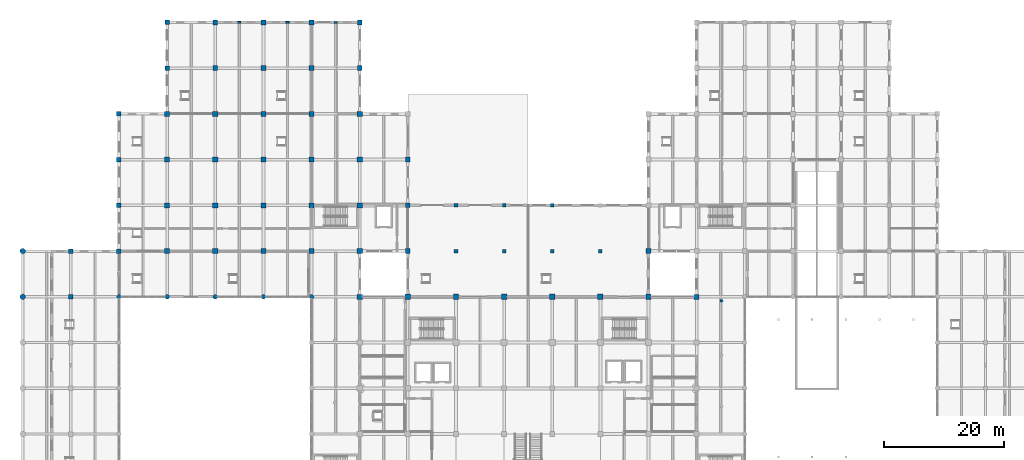
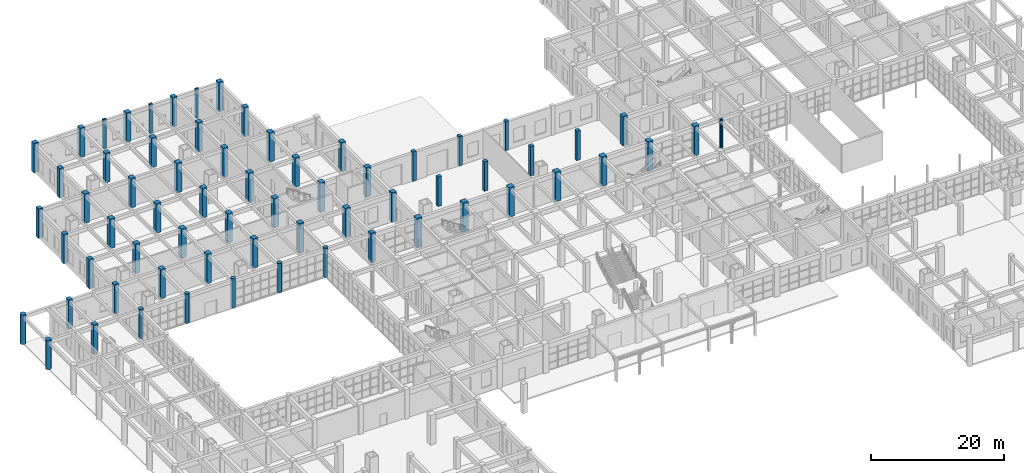
# One storey, part 6 of 95: 66 columns.
"""IFC4 building model written with IfcOpenShell, lengths in metres."""

from ifc_helpers import new_model, si_unit, direction, frame, origin, origin_2d, place, context, subcontext, project, spatial, rectangle, circle, extrude, material, material_profile, profile_set, type_object, element, save


model = new_model("IFC4")

# Units and contexts
model_context = context("Model", 3, precision=1e-05, world=origin(), true_north=direction((0.0, 1.0)))
body_context = subcontext(model_context, "Body", "Model", "MODEL_VIEW")
ifc_project = project(units=[si_unit("LENGTHUNIT", "METRE"), si_unit("AREAUNIT", "SQUARE_METRE"), si_unit("VOLUMEUNIT", "CUBIC_METRE"), si_unit("PLANEANGLEUNIT", "RADIAN"), si_unit("MASSUNIT", "GRAM", prefix="KILO")], contexts=[model_context])

# Site, building, storey
site_placement = place(None, origin())
site = spatial("IfcSite", under=ifc_project, at=site_placement, CompositionType="ELEMENT")
building_placement = place(site_placement, origin())
building = spatial("IfcBuilding", under=site, at=building_placement, Name="Zantavel Square City Hall", CompositionType="ELEMENT")
storey_placement = place(building_placement, origin())
storey = spatial("IfcBuildingStorey", under=building, at=storey_placement, Name="L01", CompositionType="ELEMENT", Elevation=0.0)

# Columns
ifc_material = material(Name="Concrete C40/50", Category="concrete")
ifc_material_profile_1 = material_profile(ifc_material, rectangle(XDim=0.60009765625, YDim=0.60009765625, at=origin_2d()), Name="RC 600x600")
ifc_profile_set_1 = profile_set([ifc_material_profile_1], Name="Concrete C40/50")
column_type_1 = type_object("IfcColumnType", Name="Column RC 600x600 C40/50", PredefinedType="COLUMN", material=ifc_profile_set_1)
for number, where, z_axis, x_axis, name in (
    (1, (72.0, 76.0, 0.0), (0.0, 0.0, 1.0), (1.0, 0.0, 0.0), "L01 Column COL-L01-0720-0760"),
    (2, (72.0, 83.60009765625, 0.0), (0.0, 0.0, 1.0), (1.0, 0.0, 0.0), "L01 Column COL-L01-0720-0836"),
    (3, (80.0, 76.0, 0.0), (0.0, 0.0, 1.0), (1.0, 0.0, 0.0), "L01 Column COL-L01-0800-0760"),
    (4, (80.0, 83.60009765625, 0.0), (0.0, 0.0, 1.0), (1.0, 0.0, 0.0), "L01 Column COL-L01-0800-0836"),
    (5, (88.0, 76.0, 0.0), (0.0, 0.0, 1.0), (1.0, 0.0, 0.0), "L01 Column COL-L01-0880-0760"),
    (6, (88.0, 83.60009765625, 0.0), (0.0, 0.0, 1.0), (1.0, 0.0, 0.0), "L01 Column COL-L01-0880-0836"),
    (7, (96.0, 76.0, 0.0), (0.0, 0.0, 1.0), (1.0, 0.0, 0.0), "L01 Column COL-L01-0960-0760"),
):
    element("IfcColumn", number, at=place(storey_placement, frame(where, z_axis=z_axis, x_axis=x_axis)), inside=storey, type_object=column_type_1, Name=name, PredefinedType="COLUMN", context=body_context, shape_type="SweptSolid", body=[
        extrude(rectangle(XDim=0.60009765625, YDim=0.60009765625, at=origin_2d()), origin(), (0.0, 0.0, 1.0), 5.39990234375),
    ])
ifc_material_profile_2 = material_profile(ifc_material, rectangle(XDim=0.75, YDim=0.75, at=origin_2d()), Name="RC 750x750")
ifc_profile_set_2 = profile_set([ifc_material_profile_2], Name="Concrete C40/50")
column_type_2 = type_object("IfcColumnType", Name="Column RC 750x750 C40/50", PredefinedType="COLUMN", material=ifc_profile_set_2)
for number, where, z_axis, x_axis, name in (
    (8, (8.0, 68.39990234375, 0.0), (0.0, 0.0, 1.0), (1.0, 0.0, 0.0), "L01 Column COL-L01-0080-0684"),
    (9, (8.0, 76.0, 0.0), (0.0, 0.0, 1.0), (1.0, 0.0, 0.0), "L01 Column COL-L01-0080-0760"),
    (10, (16.0, 76.0, 0.0), (0.0, 0.0, 1.0), (1.0, 0.0, 0.0), "L01 Column COL-L01-0160-0760"),
    (11, (16.0, 83.60009765625, 0.0), (0.0, 0.0, 1.0), (1.0, 0.0, 0.0), "L01 Column COL-L01-0160-0836"),
    (12, (16.0, 91.199951171875, 0.0), (0.0, 0.0, 1.0), (1.0, 0.0, 0.0), "L01 Column COL-L01-0160-0912"),
    (13, (16.0, 98.800048828125, 0.0), (0.0, 0.0, 1.0), (1.0, 0.0, 0.0), "L01 Column COL-L01-0160-0988"),
    (14, (24.0, 106.39990234375, 0.0), (0.0, 0.0, 1.0), (1.0, 0.0, 0.0), "L01 Column COL-L01-0240-1064"),
    (15, (24.0, 114.0, 0.0), (0.0, 0.0, 1.0), (1.0, 0.0, 0.0), "L01 Column COL-L01-0240-1140"),
):
    element("IfcColumn", number, at=place(storey_placement, frame(where, z_axis=z_axis, x_axis=x_axis)), inside=storey, type_object=column_type_2, Name=name, PredefinedType="COLUMN", context=body_context, shape_type="SweptSolid", body=[
        extrude(rectangle(XDim=0.75, YDim=0.75, at=origin_2d()), origin(), (0.0, 0.0, 1.0), 5.39990234375),
    ])
ifc_material_profile_3 = material_profile(ifc_material, rectangle(XDim=0.800048828125, YDim=0.800048828125, at=origin_2d()), Name="RC 800x800")
ifc_profile_set_3 = profile_set([ifc_material_profile_3], Name="Concrete C40/50")
column_type_3 = type_object("IfcColumnType", Name="Column RC 800x800 C40/50", PredefinedType="COLUMN", material=ifc_profile_set_3)
for number, where, z_axis, x_axis, name in (
    (16, (32.0, 106.39990234375, 0.0), (0.0, 0.0, 1.0), (1.0, 0.0, 0.0), "L01 Column COL-L01-0320-1064"),
    (17, (32.0, 114.0, 0.0), (0.0, 0.0, 1.0), (1.0, 0.0, 0.0), "L01 Column COL-L01-0320-1140"),
    (18, (40.0, 106.39990234375, 0.0), (0.0, 0.0, 1.0), (1.0, 0.0, 0.0), "L01 Column COL-L01-0400-1064"),
    (19, (40.0, 114.0, 0.0), (0.0, 0.0, 1.0), (1.0, 0.0, 0.0), "L01 Column COL-L01-0400-1140"),
    (20, (48.0, 106.39990234375, 0.0), (0.0, 0.0, 1.0), (1.0, 0.0, 0.0), "L01 Column COL-L01-0480-1064"),
    (21, (48.0, 114.0, 0.0), (0.0, 0.0, 1.0), (1.0, 0.0, 0.0), "L01 Column COL-L01-0480-1140"),
    (22, (56.0, 106.39990234375, 0.0), (0.0, 0.0, 1.0), (1.0, 0.0, 0.0), "L01 Column COL-L01-0560-1064"),
    (23, (56.0, 114.0, 0.0), (0.0, 0.0, 1.0), (1.0, 0.0, 0.0), "L01 Column COL-L01-0560-1140"),
    (24, (64.0, 76.0, 0.0), (0.0, 0.0, 1.0), (1.0, 0.0, 0.0), "L01 Column COL-L01-0640-0760"),
    (25, (64.0, 83.60009765625, 0.0), (0.0, 0.0, 1.0), (1.0, 0.0, 0.0), "L01 Column COL-L01-0640-0836"),
    (26, (64.0, 91.199951171875, 0.0), (0.0, 0.0, 1.0), (1.0, 0.0, 0.0), "L01 Column COL-L01-0640-0912"),
    (27, (104.0, 76.0, 0.0), (0.0, 0.0, 1.0), (1.0, 0.0, 0.0), "L01 Column COL-L01-1040-0760"),
):
    element("IfcColumn", number, at=place(storey_placement, frame(where, z_axis=z_axis, x_axis=x_axis)), inside=storey, type_object=column_type_3, Name=name, PredefinedType="COLUMN", context=body_context, shape_type="SweptSolid", body=[
        extrude(rectangle(XDim=0.800048828125, YDim=0.800048828125, at=origin_2d()), origin(), (0.0, 0.0, 1.0), 5.39990234375),
    ])
ifc_material_profile_4 = material_profile(ifc_material, rectangle(XDim=0.85009765625, YDim=0.85009765625, at=origin_2d()), Name="RC 850x850")
ifc_profile_set_4 = profile_set([ifc_material_profile_4], Name="Concrete C40/50")
column_type_4 = type_object("IfcColumnType", Name="Column RC 850x850 C40/50", PredefinedType="COLUMN", material=ifc_profile_set_4)
for number, where, z_axis, x_axis, name in (
    (28, (24.0, 76.0, 0.0), (0.0, 0.0, 1.0), (1.0, 0.0, 0.0), "L01 Column COL-L01-0240-0760"),
    (29, (24.0, 83.60009765625, 0.0), (0.0, 0.0, 1.0), (1.0, 0.0, 0.0), "L01 Column COL-L01-0240-0836"),
    (30, (24.0, 91.199951171875, 0.0), (0.0, 0.0, 1.0), (1.0, 0.0, 0.0), "L01 Column COL-L01-0240-0912"),
    (31, (24.0, 98.800048828125, 0.0), (0.0, 0.0, 1.0), (1.0, 0.0, 0.0), "L01 Column COL-L01-0240-0988"),
    (32, (32.0, 76.0, 0.0), (0.0, 0.0, 1.0), (1.0, 0.0, 0.0), "L01 Column COL-L01-0320-0760"),
    (33, (32.0, 83.60009765625, 0.0), (0.0, 0.0, 1.0), (1.0, 0.0, 0.0), "L01 Column COL-L01-0320-0836"),
    (34, (32.0, 91.199951171875, 0.0), (0.0, 0.0, 1.0), (1.0, 0.0, 0.0), "L01 Column COL-L01-0320-0912"),
    (35, (32.0, 98.800048828125, 0.0), (0.0, 0.0, 1.0), (1.0, 0.0, 0.0), "L01 Column COL-L01-0320-0988"),
    (36, (40.0, 76.0, 0.0), (0.0, 0.0, 1.0), (1.0, 0.0, 0.0), "L01 Column COL-L01-0400-0760"),
    (37, (40.0, 83.60009765625, 0.0), (0.0, 0.0, 1.0), (1.0, 0.0, 0.0), "L01 Column COL-L01-0400-0836"),
    (38, (40.0, 91.199951171875, 0.0), (0.0, 0.0, 1.0), (1.0, 0.0, 0.0), "L01 Column COL-L01-0400-0912"),
    (39, (40.0, 98.800048828125, 0.0), (0.0, 0.0, 1.0), (1.0, 0.0, 0.0), "L01 Column COL-L01-0400-0988"),
    (40, (48.0, 76.0, 0.0), (0.0, 0.0, 1.0), (1.0, 0.0, 0.0), "L01 Column COL-L01-0480-0760"),
    (41, (48.0, 83.60009765625, 0.0), (0.0, 0.0, 1.0), (1.0, 0.0, 0.0), "L01 Column COL-L01-0480-0836"),
    (42, (48.0, 91.199951171875, 0.0), (0.0, 0.0, 1.0), (1.0, 0.0, 0.0), "L01 Column COL-L01-0480-0912"),
    (43, (48.0, 98.800048828125, 0.0), (0.0, 0.0, 1.0), (1.0, 0.0, 0.0), "L01 Column COL-L01-0480-0988"),
    (44, (56.0, 68.39990234375, 0.0), (0.0, 0.0, 1.0), (1.0, 0.0, 0.0), "L01 Column COL-L01-0560-0684"),
    (45, (56.0, 76.0, 0.0), (0.0, 0.0, 1.0), (1.0, 0.0, 0.0), "L01 Column COL-L01-0560-0760"),
    (46, (56.0, 83.60009765625, 0.0), (0.0, 0.0, 1.0), (1.0, 0.0, 0.0), "L01 Column COL-L01-0560-0836"),
    (47, (56.0, 91.199951171875, 0.0), (0.0, 0.0, 1.0), (1.0, 0.0, 0.0), "L01 Column COL-L01-0560-0912"),
    (48, (56.0, 98.800048828125, 0.0), (0.0, 0.0, 1.0), (1.0, 0.0, 0.0), "L01 Column COL-L01-0560-0988"),
    (49, (112.0, 68.39990234375, 0.0), (0.0, 0.0, 1.0), (1.0, 0.0, 0.0), "L01 Column COL-L01-1120-0684"),
):
    element("IfcColumn", number, at=place(storey_placement, frame(where, z_axis=z_axis, x_axis=x_axis)), inside=storey, type_object=column_type_4, Name=name, PredefinedType="COLUMN", context=body_context, shape_type="SweptSolid", body=[
        extrude(rectangle(XDim=0.85009765625, YDim=0.85009765625, at=origin_2d()), origin(), (0.0, 0.0, 1.0), 5.39990234375),
    ])
ifc_material_profile_5 = material_profile(ifc_material, rectangle(XDim=0.89990234375, YDim=0.89990234375, at=origin_2d()), Name="RC 900x900")
ifc_profile_set_5 = profile_set([ifc_material_profile_5], Name="Concrete C40/50")
column_type_5 = type_object("IfcColumnType", Name="Column RC 900x900 C40/50", PredefinedType="COLUMN", material=ifc_profile_set_5)
for number, where, z_axis, x_axis, name in (
    (50, (64.0, 68.39990234375, 0.0), (0.0, 0.0, 1.0), (1.0, 0.0, 0.0), "L01 Column COL-L01-0640-0684"),
    (51, (72.0, 68.39990234375, 0.0), (0.0, 0.0, 1.0), (1.0, 0.0, 0.0), "L01 Column COL-L01-0720-0684"),
    (52, (80.0, 68.39990234375, 0.0), (0.0, 0.0, 1.0), (1.0, 0.0, 0.0), "L01 Column COL-L01-0800-0684"),
    (53, (88.0, 68.39990234375, 0.0), (0.0, 0.0, 1.0), (1.0, 0.0, 0.0), "L01 Column COL-L01-0880-0684"),
    (54, (96.0, 68.39990234375, 0.0), (0.0, 0.0, 1.0), (1.0, 0.0, 0.0), "L01 Column COL-L01-0960-0684"),
    (55, (104.0, 68.39990234375, 0.0), (0.0, 0.0, 1.0), (1.0, 0.0, 0.0), "L01 Column COL-L01-1040-0684"),
):
    element("IfcColumn", number, at=place(storey_placement, frame(where, z_axis=z_axis, x_axis=x_axis)), inside=storey, type_object=column_type_5, Name=name, PredefinedType="COLUMN", context=body_context, shape_type="SweptSolid", body=[
        extrude(rectangle(XDim=0.89990234375, YDim=0.89990234375, at=origin_2d()), origin(), (0.0, 0.0, 1.0), 5.39990234375),
    ])
ifc_material_profile_6 = material_profile(ifc_material, circle(Radius=0.375, at=origin_2d()), Name="ROUND D750")
ifc_profile_set_6 = profile_set([ifc_material_profile_6], Name="Concrete C40/50")
column_type_6 = type_object("IfcColumnType", Name="Courtyard Ionic Column D750 C40/50", PredefinedType="COLUMN", material=ifc_profile_set_6)
for number, where, z_axis, x_axis, name in (
    (56, (16.0, 68.39990234375, 0.0), (0.0, 0.0, 1.0), (1.0, 0.0, 0.0), "L01 Column COL-L01-0160-0684"),
    (57, (24.0, 68.39990234375, 0.0), (0.0, 0.0, 1.0), (1.0, 0.0, 0.0), "L01 Column COL-L01-0240-0684"),
    (58, (32.0, 68.39990234375, 0.0), (0.0, 0.0, 1.0), (1.0, 0.0, 0.0), "L01 Column COL-L01-0320-0684"),
    (59, (40.0, 68.39990234375, 0.0), (0.0, 0.0, 1.0), (1.0, 0.0, 0.0), "L01 Column COL-L01-0400-0684"),
    (60, (48.0, 68.39990234375, 0.0), (0.0, 0.0, 1.0), (1.0, 0.0, 0.0), "L01 Column COL-L01-0480-0684"),
):
    element("IfcColumn", number, at=place(storey_placement, frame(where, z_axis=z_axis, x_axis=x_axis)), inside=storey, type_object=column_type_6, Name=name, PredefinedType="COLUMN", context=body_context, shape_type="SweptSolid", body=[
        extrude(circle(Radius=0.375, at=origin_2d()), origin(), (0.0, 0.0, 1.0), 5.39990234375),
    ])
ifc_material_profile_7 = material_profile(ifc_material, rectangle(XDim=0.5, YDim=0.300048828125, at=origin_2d()), Name="RC 500x300")
ifc_profile_set_7 = profile_set([ifc_material_profile_7], Name="Concrete C40/50")
column_type_7 = type_object("IfcColumnType", Name="Courtyard Stone Pilaster 500x300 C40/50", PredefinedType="PILASTER", material=ifc_profile_set_7)
column_1_placement = place(storey_placement, frame((52.0, 114.0, 0.0), z_axis=(0.0, 0.0, 1.0), x_axis=(1.0, 0.0, 0.0)))
element("IfcColumn", 61, at=column_1_placement, inside=storey, type_object=column_type_7, Name="L01 Facade Pilaster PIL-L01-0520-1140", PredefinedType="PILASTER", context=body_context, shape_type="SweptSolid", body=[
    extrude(rectangle(XDim=0.5, YDim=0.300048828125, at=origin_2d()), origin(), (0.0, 0.0, 1.0), 5.39990234375),
])
ifc_material_profile_8 = material_profile(ifc_material, rectangle(XDim=0.550048828125, YDim=0.320068359375, at=origin_2d()), Name="RC 550x320")
ifc_profile_set_8 = profile_set([ifc_material_profile_8], Name="Concrete C40/50")
column_type_8 = type_object("IfcColumnType", Name="North Wing Stone Pilaster 550x320 C40/50", PredefinedType="PILASTER", material=ifc_profile_set_8)
for number, where, z_axis, x_axis, name in (
    (62, (36.0, 114.0, 0.0), (0.0, 0.0, 1.0), (1.0, 0.0, 0.0), "L01 Facade Pilaster PIL-L01-0360-1140"),
    (63, (44.0, 114.0, 0.0), (0.0, 0.0, 1.0), (1.0, 0.0, 0.0), "L01 Facade Pilaster PIL-L01-0440-1140"),
):
    element("IfcColumn", number, at=place(storey_placement, frame(where, z_axis=z_axis, x_axis=x_axis)), inside=storey, type_object=column_type_8, Name=name, PredefinedType="PILASTER", context=body_context, shape_type="SweptSolid", body=[
        extrude(rectangle(XDim=0.550048828125, YDim=0.320068359375, at=origin_2d()), origin(), (0.0, 0.0, 1.0), 5.39990234375),
    ])
ifc_material_profile_9 = material_profile(ifc_material, circle(Radius=0.449951171875, at=origin_2d()), Name="ROUND D900")
ifc_profile_set_9 = profile_set([ifc_material_profile_9], Name="Concrete C40/50")
column_type_9 = type_object("IfcColumnType", Name="Portales Tuscan Column D900 C40/50", PredefinedType="COLUMN", material=ifc_profile_set_9)
for number, where, z_axis, x_axis, name in (
    (64, (0.0, 68.39990234375, 0.0), (0.0, 0.0, 1.0), (1.0, 0.0, 0.0), "L01 Column COL-L01-0000-0684"),
    (65, (0.0, 76.0, 0.0), (0.0, 0.0, 1.0), (1.0, 0.0, 0.0), "L01 Column COL-L01-0000-0760"),
):
    element("IfcColumn", number, at=place(storey_placement, frame(where, z_axis=z_axis, x_axis=x_axis)), inside=storey, type_object=column_type_9, Name=name, PredefinedType="COLUMN", context=body_context, shape_type="SweptSolid", body=[
        extrude(circle(Radius=0.449951171875, at=origin_2d()), origin(), (0.0, 0.0, 1.0), 5.39990234375),
    ])
ifc_material_profile_10 = material_profile(ifc_material, circle(Radius=0.25, at=origin_2d()), Name="ROUND D500")
ifc_profile_set_10 = profile_set([ifc_material_profile_10], Name="Concrete C40/50")
column_type_10 = type_object("IfcColumnType", Name="Portico Canopy Classical Column D500 C40/50", PredefinedType="COLUMN", material=ifc_profile_set_10)
column_2_placement = place(storey_placement, frame((116.10009765625, 67.7451171875, 0.0), z_axis=(0.0, 0.0, 1.0), x_axis=(1.0, 0.0, 0.0)))
element("IfcColumn", 66, at=column_2_placement, inside=storey, type_object=column_type_10, Name="L01 Terrace Stair Loggia Column 3", PredefinedType="COLUMN", context=body_context, shape_type="SweptSolid", body=[
    extrude(circle(Radius=0.25, at=origin_2d()), origin(), (0.0, 0.0, 1.0), 5.39990234375),
])

save(model, "model.ifc")
